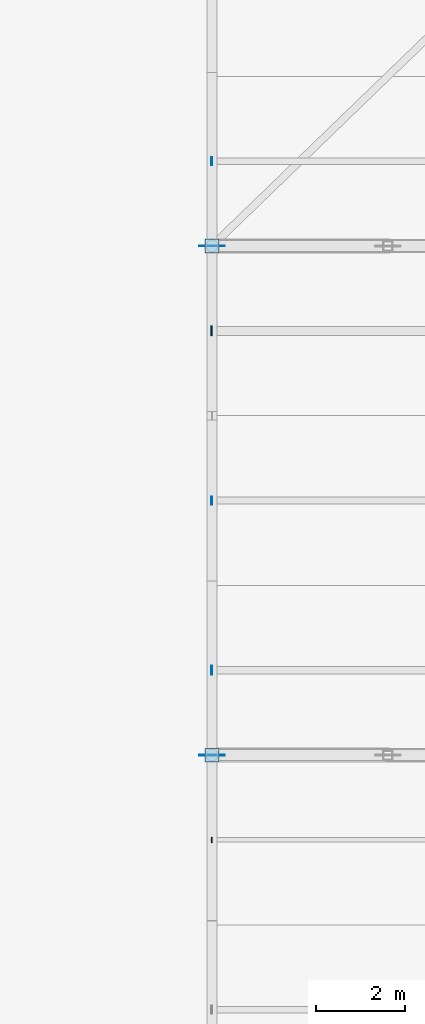
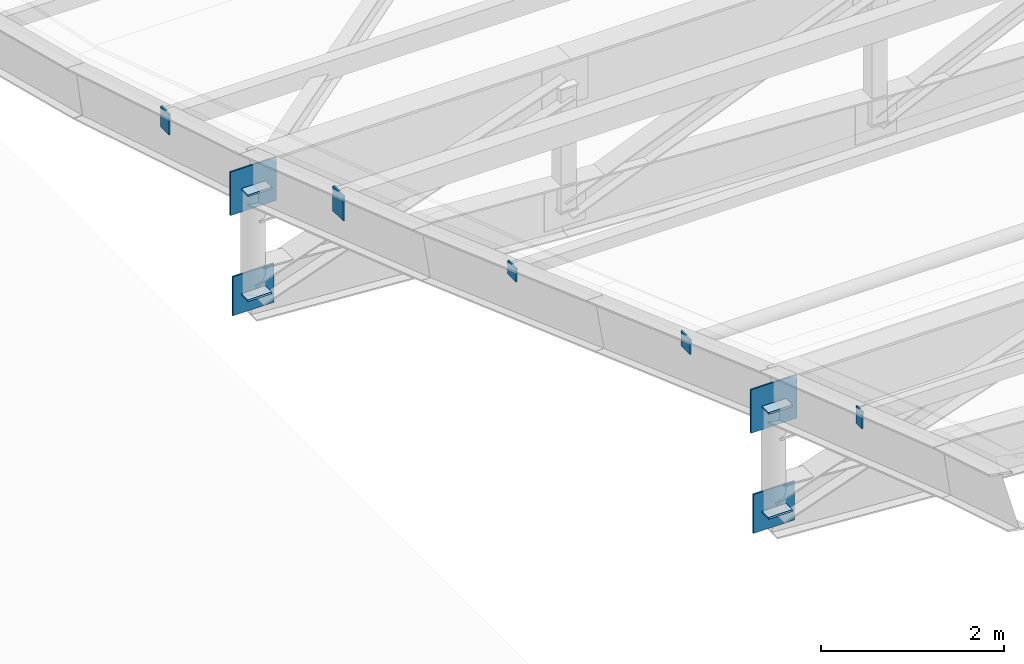
# One storey, part 33 of 65: 13 plates.
"""IFC4 building model written with IfcOpenShell, lengths in metres."""

from ifc_helpers import new_model, si_unit, direction, frame, origin, origin_2d, place, context, subcontext, project, spatial, rectangle, extrude, material, layer, layer_set, type_object, element, save


model = new_model("IFC4")

# Units and contexts
model_context = context("Model", 3, precision=1e-05, world=origin(), true_north=direction((0.0, 1.0)))
body_context = subcontext(model_context, "Body", "Model", "MODEL_VIEW")
ifc_project = project(units=[si_unit("LENGTHUNIT", "METRE"), si_unit("AREAUNIT", "SQUARE_METRE"), si_unit("VOLUMEUNIT", "CUBIC_METRE"), si_unit("PLANEANGLEUNIT", "RADIAN"), si_unit("MASSUNIT", "GRAM", prefix="KILO"), si_unit("POWERUNIT", "WATT"), si_unit("THERMODYNAMICTEMPERATUREUNIT", "KELVIN")], contexts=[model_context])

# Site, building, storey
site_placement = place(None, origin())
site = spatial("IfcSite", under=ifc_project, at=site_placement, CompositionType="ELEMENT")
building_placement = place(site_placement, origin())
building = spatial("IfcBuilding", under=site, at=building_placement, Name="Kelmbourne Parkland Aquatics Centre", CompositionType="ELEMENT")
storey_placement = place(building_placement, frame((0.0, 0.0, 27.0)))
storey = spatial("IfcBuildingStorey", under=building, at=storey_placement, Name="RF", CompositionType="ELEMENT", Elevation=27.0)

# Plates
ifc_material = material(Name="Welded plate steel AS/NZS 3678 Grade 350", Category="steel")
ifc_layer_1 = layer(ifc_material, 0.02001953125)
ifc_layer_set_1 = layer_set([ifc_layer_1], Name="Welded plate steel AS/NZS 3678 Grade 350")
plate_type_1 = type_object("IfcPlateType", Name="PL-CAP-20", PredefinedType="USERDEFINED", material=ifc_layer_set_1)
plate_1_placement = place(storey_placement, frame((127.990966796875, 21.699951171875, -4.702880859375), z_axis=(0.0, 0.0, 1.0), x_axis=(-1.0, 0.0, 0.0)))
element("IfcPlate", 1, at=plate_1_placement, inside=storey, type_object=plate_type_1, Name="Hollow end cap plate CAP-0341", ObjectType="END CAP PLATE", PredefinedType="USERDEFINED", context=body_context, shape_type="SweptSolid", body=[
    extrude(rectangle(XDim=0.02001953125, YDim=0.1298828125, at=origin_2d()), origin(), (0.0, 0.0, 1.0), 0.22998046875),
])
plate_2_placement = place(storey_placement, frame((127.990966796875, 25.5, -5.99462890625), z_axis=(0.0, 0.0, 1.0), x_axis=(-1.0, 0.0, 0.0)))
element("IfcPlate", 2, at=plate_2_placement, inside=storey, type_object=plate_type_1, Name="Hollow end cap plate CAP-0349", ObjectType="END CAP PLATE", PredefinedType="USERDEFINED", context=body_context, shape_type="SweptSolid", body=[
    extrude(rectangle(XDim=0.02001953125, YDim=0.1982421875, at=origin_2d()), origin(), (0.0, 0.0, 1.0), 0.1982421875),
])
plate_3_placement = place(storey_placement, frame((127.990966796875, 29.300048828125, -7.33349609375), z_axis=(0.0, 0.0, 1.0), x_axis=(-1.0, 0.0, 0.0)))
element("IfcPlate", 3, at=plate_3_placement, inside=storey, type_object=plate_type_1, Name="Hollow end cap plate CAP-0357", ObjectType="END CAP PLATE", PredefinedType="USERDEFINED", context=body_context, shape_type="SweptSolid", body=[
    extrude(rectangle(XDim=0.02001953125, YDim=0.179931640625, at=origin_2d()), origin(), (0.0, 0.0, 1.0), 0.179931640625),
])
plate_4_placement = place(storey_placement, frame((127.990966796875, 36.89990234375, -9.97998046875), z_axis=(0.0, 0.0, 1.0), x_axis=(-1.0, 0.0, 0.0)))
element("IfcPlate", 4, at=plate_4_placement, inside=storey, type_object=plate_type_1, Name="Hollow end cap plate CAP-0373", ObjectType="END CAP PLATE", PredefinedType="USERDEFINED", context=body_context, shape_type="SweptSolid", body=[
    extrude(rectangle(XDim=0.02001953125, YDim=0.179931640625, at=origin_2d()), origin(), (0.0, 0.0, 1.0), 0.280029296875),
])
ifc_layer_2 = layer(ifc_material, 0.02392578125)
ifc_layer_set_2 = layer_set([ifc_layer_2], Name="Welded plate steel AS/NZS 3678 Grade 350")
plate_type_2 = type_object("IfcPlateType", Name="PL-CAP-24", PredefinedType="USERDEFINED", material=ifc_layer_set_2)
for number, where, z_axis, x_axis, name in (
    (5, (128.0, 23.60009765625, -6.965576171875), (0.0, 0.0, 1.0), (1.0, 0.0, 0.0), "Hollow end cap plate CAP-0067"),
    (6, (128.0, 23.60009765625, -5.5634765625), (0.0, 0.0, 1.0), (1.0, 0.0, 0.0), "Hollow end cap plate CAP-0068"),
    (7, (128.0, 35.0, -10.9697265625), (0.0, 0.0, 1.0), (1.0, 0.0, 0.0), "Hollow end cap plate CAP-0093"),
    (8, (128.0, 35.0, -9.567626953125), (0.0, 0.0, 1.0), (1.0, 0.0, 0.0), "Hollow end cap plate CAP-0094"),
):
    element("IfcPlate", number, at=place(storey_placement, frame(where, z_axis=z_axis, x_axis=x_axis)), inside=storey, type_object=plate_type_2, Name=name, ObjectType="END CAP PLATE", PredefinedType="USERDEFINED", context=body_context, shape_type="SweptSolid", body=[
        extrude(rectangle(XDim=0.302978515625, YDim=0.302978515625, at=origin_2d()), origin(), (0.0, 0.0, 1.0), 0.02392578125),
    ])
plate_5_placement = place(storey_placement, frame((127.989013671875, 33.10009765625, -8.80712890625), z_axis=(0.0, 0.0, 1.0), x_axis=(-1.0, 0.0, 0.0)))
element("IfcPlate", 9, at=plate_5_placement, inside=storey, type_object=plate_type_2, Name="Hollow end cap plate CAP-0365", ObjectType="END CAP PLATE", PredefinedType="USERDEFINED", context=body_context, shape_type="SweptSolid", body=[
    extrude(rectangle(XDim=0.02392578125, YDim=0.22998046875, at=origin_2d()), origin(), (0.0, 0.0, 1.0), 0.330078125),
])
ifc_layer_3 = layer(ifc_material, 0.02001953125)
ifc_layer_set_3 = layer_set([ifc_layer_3], Name="Welded plate steel AS/NZS 3678 Grade 350")
plate_type_3 = type_object("IfcPlateType", Name="PL-GUS-1", PredefinedType="USERDEFINED", material=ifc_layer_set_3)
plate_6_placement = place(storey_placement, frame((128.0, 23.60009765625, -5.8525390625), z_axis=(0.0, 0.0, 1.0), x_axis=(1.0, 0.0, 0.0)))
element("IfcPlate", 10, at=plate_6_placement, inside=storey, type_object=plate_type_3, Name="Truss top node TN-1 gusset plate R02-N0", ObjectType="GUSSET PLATE", PredefinedType="USERDEFINED", context=body_context, shape_type="SweptSolid", body=[
    extrude(rectangle(XDim=0.580078125, YDim=0.02001953125, at=origin_2d()), origin(), (0.0, 0.0, 1.0), 0.580078125),
])
plate_7_placement = place(storey_placement, frame((128.0, 23.60009765625, -7.20263671875), z_axis=(0.0, 0.0, 1.0), x_axis=(1.0, 0.0, 0.0)))
element("IfcPlate", 11, at=plate_7_placement, inside=storey, type_object=plate_type_3, Name="Truss bottom node TN-1 gusset plate R02-B0", ObjectType="GUSSET PLATE", PredefinedType="USERDEFINED", context=body_context, shape_type="SweptSolid", body=[
    extrude(rectangle(XDim=0.52001953125, YDim=0.02001953125, at=origin_2d()), origin(), (0.0, 0.0, 1.0), 0.52001953125),
])
plate_8_placement = place(storey_placement, frame((128.0, 35.0, -9.856689453125), z_axis=(0.0, 0.0, 1.0), x_axis=(1.0, 0.0, 0.0)))
element("IfcPlate", 12, at=plate_8_placement, inside=storey, type_object=plate_type_3, Name="Truss top node TN-1 gusset plate R03-N0", ObjectType="GUSSET PLATE", PredefinedType="USERDEFINED", context=body_context, shape_type="SweptSolid", body=[
    extrude(rectangle(XDim=0.580078125, YDim=0.02001953125, at=origin_2d()), origin(), (0.0, 0.0, 1.0), 0.580078125),
])
plate_9_placement = place(storey_placement, frame((128.0, 35.0, -11.206787109375), z_axis=(0.0, 0.0, 1.0), x_axis=(1.0, 0.0, 0.0)))
element("IfcPlate", 13, at=plate_9_placement, inside=storey, type_object=plate_type_3, Name="Truss bottom node TN-1 gusset plate R03-B0", ObjectType="GUSSET PLATE", PredefinedType="USERDEFINED", context=body_context, shape_type="SweptSolid", body=[
    extrude(rectangle(XDim=0.52001953125, YDim=0.02001953125, at=origin_2d()), origin(), (0.0, 0.0, 1.0), 0.52001953125),
])

save(model, "model.ifc")
